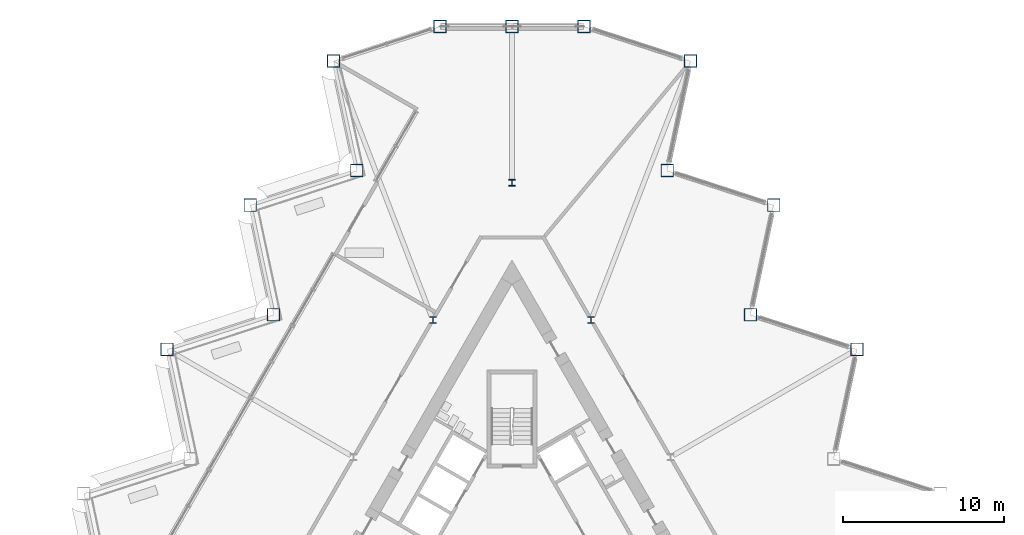
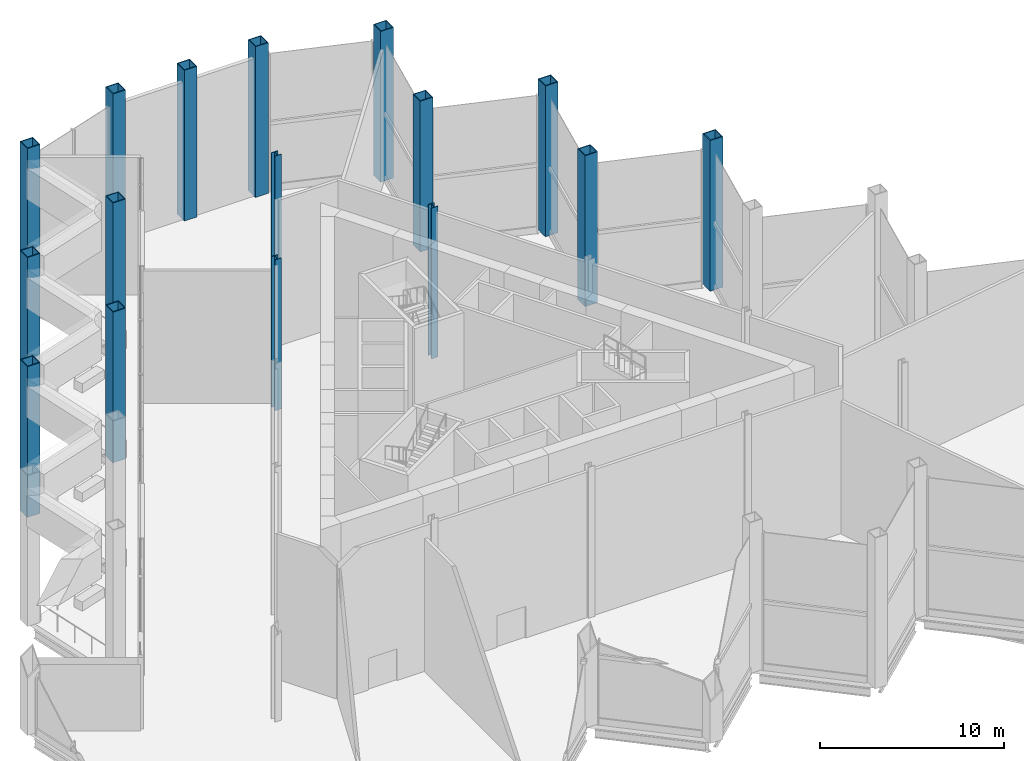
# One storey, part 2 of 18: 16 columns.
"""IFC4 building model written with IfcOpenShell, lengths in metres."""

from ifc_helpers import new_model, si_unit, direction, frame, origin, origin_2d, place, context, subcontext, project, spatial, hollow_rectangle, i_section, extrude, material, material_profile, profile_set, type_object, element, save


model = new_model("IFC4")

# Units and contexts
model_context = context("Model", 3, precision=1e-05, world=origin(), true_north=direction((0.0, 1.0)))
body_context = subcontext(model_context, "Body", "Model", "MODEL_VIEW")
ifc_project = project(units=[si_unit("LENGTHUNIT", "METRE"), si_unit("AREAUNIT", "SQUARE_METRE"), si_unit("VOLUMEUNIT", "CUBIC_METRE"), si_unit("PLANEANGLEUNIT", "RADIAN"), si_unit("MASSUNIT", "GRAM", prefix="KILO")], contexts=[model_context])

# Site, building, storey
site_placement = place(None, origin())
site = spatial("IfcSite", under=ifc_project, at=site_placement, CompositionType="ELEMENT")
building_placement = place(site_placement, origin())
building = spatial("IfcBuilding", under=site, at=building_placement, Name="Cormorant Prow Tower", CompositionType="ELEMENT")
storey_placement = place(building_placement, frame((0.0, 0.0, 216.0)))
storey = spatial("IfcBuildingStorey", under=building, at=storey_placement, Name="L48", CompositionType="ELEMENT", Elevation=216.0)

# Columns
ifc_material_1 = material(Name="Structural steel ASTM A572 Gr 50", Category="steel")
ifc_material_profile_1 = material_profile(ifc_material_1, hollow_rectangle(XDim=0.800048828125, YDim=0.800048828125, WallThickness=0.050048828125, at=origin_2d()), Name="Box 800x800x50")
ifc_profile_set_1 = profile_set([ifc_material_profile_1], Name="Structural steel ASTM A572 Gr 50")
column_type_1 = type_object("IfcColumnType", Name="Perimeter box column 800x800x50", PredefinedType="COLUMN", material=ifc_profile_set_1)
for number, where, z_axis, x_axis, name in (
    (1, (21.409423828125, 12.36083984375, 0.0), (0.0, 0.0, 1.0), (1.0, 0.0, 0.0), "Perimeter column C4 at ENE05 L48"),
    (2, (14.7998046875, 14.50830078125, 0.0), (0.0, 0.0, 1.0), (1.0, 0.0, 0.0), "Perimeter column C4 at ENE06 L48"),
    (3, (16.244873046875, 21.306396484375, 0.0), (0.0, 0.0, 1.0), (1.0, 0.0, 0.0), "Perimeter column C4 at ENE07 L48"),
    (4, (9.63525390625, 23.453857421875, 0.0), (0.0, 0.0, 1.0), (1.0, 0.0, 0.0), "Perimeter column C4 at ENE08 L48"),
    (5, (11.080078125, 30.251953125, 0.0), (0.0, 0.0, 1.0), (1.0, 0.0, 0.0), "Perimeter column C4 at ENE09 L48"),
    (6, (4.470458984375, 32.3994140625, 0.0), (0.0, 0.0, 1.0), (1.0, 0.0, 0.0), "Perimeter column C4 at N00 L48"),
    (7, (0.0, 32.3994140625, 0.0), (0.0, 0.0, 1.0), (1.0, 0.0, 0.0), "Perimeter column C4 at N01 L48"),
    (8, (-4.470458984375, 32.3994140625, 0.0), (0.0, 0.0, 1.0), (1.0, 0.0, 0.0), "Perimeter column C4 at WNW00 L48"),
    (9, (-11.080078125, 30.251953125, 0.0), (0.0, 0.0, 1.0), (1.0, 0.0, 0.0), "Perimeter column C4 at WNW01 L48"),
    (10, (-9.63525390625, 23.453857421875, 0.0), (0.0, 0.0, 1.0), (1.0, 0.0, 0.0), "Perimeter column C4 at WNW02 L48"),
    (11, (-16.244873046875, 21.306396484375, 0.0), (0.0, 0.0, 1.0), (1.0, 0.0, 0.0), "Perimeter column C4 at WNW03 L48"),
    (12, (-14.7998046875, 14.50830078125, 0.0), (0.0, 0.0, 1.0), (1.0, 0.0, 0.0), "Perimeter column C4 at WNW04 L48"),
    (13, (-21.409423828125, 12.36083984375, 0.0), (0.0, 0.0, 1.0), (1.0, 0.0, 0.0), "Perimeter column C4 at WNW05 L48"),
):
    element("IfcColumn", number, at=place(storey_placement, frame(where, z_axis=z_axis, x_axis=x_axis)), inside=storey, type_object=column_type_1, Name=name, PredefinedType="COLUMN", context=body_context, shape_type="SweptSolid", body=[
        extrude(hollow_rectangle(XDim=0.800048828125, YDim=0.800048828125, WallThickness=0.050048828125, at=origin_2d()), origin(), (0.0, 0.0, 1.0), 10.0),
    ])
ifc_material_2 = material(Name="Structural steel ASTM A992 Gr 50", Category="steel")
ifc_material_profile_2 = material_profile(ifc_material_2, i_section(OverallWidth=0.403564453125, OverallDepth=0.407470703125, WebThickness=0.027099609375, FlangeThickness=0.043701171875, at=origin_2d()), Name="W14x233")
ifc_profile_set_2 = profile_set([ifc_material_profile_2], Name="Structural steel ASTM A992 Gr 50")
column_type_2 = type_object("IfcColumnType", Name="Ring column W14x233", PredefinedType="COLUMN", material=ifc_profile_set_2)
for number, where, z_axis, x_axis, name in (
    (14, (0.0, 22.69775390625, 0.0), (0.0, 0.0, 1.0), (1.0, 0.0, 0.0), "Ring column 1 L48"),
    (15, (-4.914306640625, 14.186279296875, 0.0), (0.0, 0.0, 1.0), (1.0, 0.0, 0.0), "Ring column 2 L48"),
    (16, (4.914306640625, 14.186279296875, 0.0), (0.0, 0.0, 1.0), (1.0, 0.0, 0.0), "Ring column 12 L48"),
):
    element("IfcColumn", number, at=place(storey_placement, frame(where, z_axis=z_axis, x_axis=x_axis)), inside=storey, type_object=column_type_2, Name=name, PredefinedType="COLUMN", context=body_context, shape_type="SweptSolid", body=[
        extrude(i_section(OverallWidth=0.403564453125, OverallDepth=0.407470703125, WebThickness=0.027099609375, FlangeThickness=0.043701171875, at=origin_2d()), origin(), (0.0, 0.0, 1.0), 10.0),
    ])

save(model, "model.ifc")
